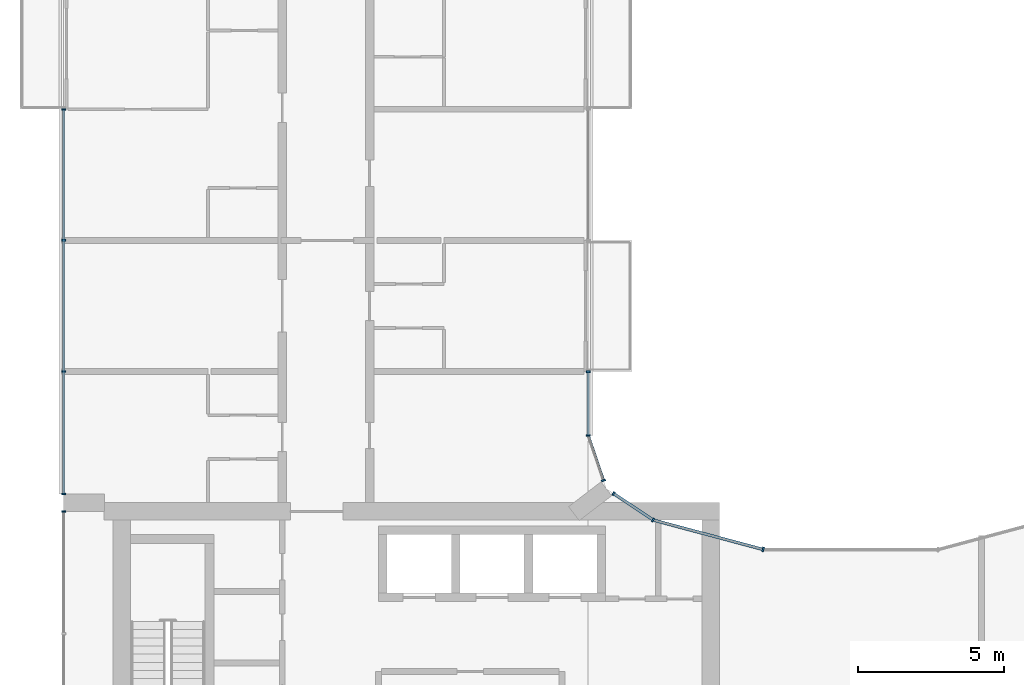
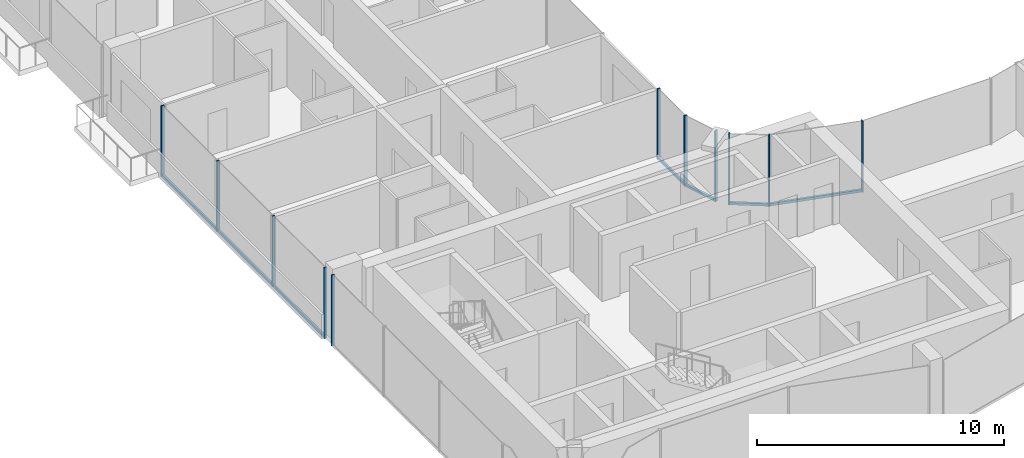
# One storey, part 4 of 15: 16 members, 6 elements without a shape of their own.
"""IFC4 building model written with IfcOpenShell, lengths in metres."""

from ifc_helpers import new_model, si_unit, direction, frame, origin, origin_2d, place, context, subcontext, project, spatial, rectangle, extrude, material, layer, layer_set, material_profile, profile_set, type_object, element, aggregate, save


model = new_model("IFC4")

# Units and contexts
model_context = context("Model", 3, precision=1e-05, world=origin(), true_north=direction((0.0, 1.0)))
body_context = subcontext(model_context, "Body", "Model", "MODEL_VIEW")
ifc_project = project(units=[si_unit("LENGTHUNIT", "METRE"), si_unit("AREAUNIT", "SQUARE_METRE"), si_unit("VOLUMEUNIT", "CUBIC_METRE"), si_unit("PLANEANGLEUNIT", "RADIAN"), si_unit("MASSUNIT", "GRAM", prefix="KILO")], contexts=[model_context])

# Site, building, storey
site_placement = place(None, origin())
site = spatial("IfcSite", under=ifc_project, at=site_placement, CompositionType="ELEMENT")
building_placement = place(site_placement, origin())
building = spatial("IfcBuilding", under=site, at=building_placement, Name="Plateau Cross Towers", CompositionType="ELEMENT")
storey_placement = place(building_placement, frame((0.0, 0.0, 156.89990234375)))
storey = spatial("IfcBuildingStorey", under=building, at=storey_placement, Name="L40", CompositionType="ELEMENT", Elevation=156.89990234375)

# Curtain wall, members
ifc_material_1 = material(Name="Dark low-iron glass", Category="glass")
ifc_layer_1 = layer(ifc_material_1, 0.239990234375)
ifc_layer_set_1 = layer_set([ifc_layer_1], Name="Dark low-iron glass")
curtain_wall_type_1 = type_object("IfcCurtainWallType", Name="Curtain wall flush unitised CW-B", PredefinedType="NOTDEFINED", material=ifc_layer_set_1)
curtain_wall_1_placement = place(storey_placement, origin())
curtain_wall_1 = element("IfcCurtainWall", 1, at=curtain_wall_1_placement, inside=storey, type_object=curtain_wall_type_1, Name="ENV/A/L40/A202_174", PredefinedType="NOTDEFINED")
ifc_material_2 = material(Name="Black anodised aluminium", Category="aluminium")
ifc_material_profile_1 = material_profile(ifc_material_2, rectangle(XDim=0.06005859375, YDim=0.139892578125, at=origin_2d()), Name="MULLION 60x140")
ifc_profile_set_1 = profile_set([ifc_material_profile_1], Name="Black anodised aluminium")
member_type_1 = type_object("IfcMemberType", Name="Mullion 60x140 flush unitised", PredefinedType="MULLION", material=ifc_profile_set_1)
member_1_placement = place(storey_placement, frame((20.223876953125, 17.404296875, -0.25), z_axis=(0.0, 0.0, 1.0), x_axis=(-0.831521253329, 0.555492938984, 0.0)))
member_1 = element("IfcMember", 2, at=member_1_placement, type_object=member_type_1, Name="CW-B mullion 1", PredefinedType="MULLION", context=body_context, shape_type="SweptSolid", body=[
    extrude(rectangle(XDim=0.06005859375, YDim=0.139892578125, at=origin_2d()), origin(), (0.0, 0.0, 1.0), 3.5),
])
member_2_placement = place(storey_placement, frame((18.86962890625, 18.30908203125, -0.25), z_axis=(0.0, 0.0, 1.0), x_axis=(-0.831521253329, 0.555492938984, 0.0)))
member_2 = element("IfcMember", 3, at=member_2_placement, type_object=member_type_1, Name="CW-B mullion 2", PredefinedType="MULLION", context=body_context, shape_type="SweptSolid", body=[
    extrude(rectangle(XDim=0.06005859375, YDim=0.139892578125, at=origin_2d()), origin(), (0.0, 0.0, 1.0), 3.5),
])

# Curtain wall, member
curtain_wall_2_placement = place(storey_placement, origin())
curtain_wall_2 = element("IfcCurtainWall", 4, at=curtain_wall_2_placement, inside=storey, type_object=curtain_wall_type_1, Name="ENV/A/L40/A185_188", PredefinedType="NOTDEFINED")
member_3_placement = place(storey_placement, frame((18.523681640625, 18.760009765625, -0.25), z_axis=(0.0, 0.0, 1.0), x_axis=(-0.321469161574, 0.94692004845, 0.0)))
member_3 = element("IfcMember", 5, at=member_3_placement, type_object=member_type_1, Name="CW-B mullion 1", PredefinedType="MULLION", context=body_context, shape_type="SweptSolid", body=[
    extrude(rectangle(XDim=0.06005859375, YDim=0.139892578125, at=origin_2d()), origin(), (0.0, 0.0, 1.0), 3.5),
])

# Curtain wall, members
curtain_wall_3_placement = place(storey_placement, origin())
curtain_wall_3 = element("IfcCurtainWall", 6, at=curtain_wall_3_placement, inside=storey, type_object=curtain_wall_type_1, Name="ENV/A/L40/A180_203", PredefinedType="NOTDEFINED")
member_4_placement = place(storey_placement, frame((18.0, 20.30224609375, -0.25), z_axis=(0.0, 0.0, 1.0), x_axis=(0.0, 1.0, 0.0)))
member_4 = element("IfcMember", 7, at=member_4_placement, type_object=member_type_1, Name="CW-B mullion 1", PredefinedType="MULLION", context=body_context, shape_type="SweptSolid", body=[
    extrude(rectangle(XDim=0.06005859375, YDim=0.139892578125, at=origin_2d()), origin(), (0.0, 0.0, 1.0), 3.5),
])
member_5_placement = place(storey_placement, frame((18.0, 22.489990234375, -0.25), z_axis=(0.0, 0.0, 1.0), x_axis=(0.0, 1.0, 0.0)))
member_5 = element("IfcMember", 8, at=member_5_placement, type_object=member_type_1, Name="CW-B mullion 2", PredefinedType="MULLION", context=body_context, shape_type="SweptSolid", body=[
    extrude(rectangle(XDim=0.06005859375, YDim=0.139892578125, at=origin_2d()), origin(), (0.0, 0.0, 1.0), 3.5),
])

curtain_wall_4_placement = place(storey_placement, origin())
curtain_wall_4 = element("IfcCurtainWall", 9, at=curtain_wall_4_placement, inside=storey, type_object=curtain_wall_type_1, Name="ENV/A/L40/A0_315", PredefinedType="NOTDEFINED")
member_6_placement = place(storey_placement, frame((0.0, 31.489990234375, -0.25), z_axis=(0.0, 0.0, 1.0), x_axis=(0.0, -1.0, 0.0)))
member_6 = element("IfcMember", 10, at=member_6_placement, type_object=member_type_1, Name="CW-B mullion 1", PredefinedType="MULLION", context=body_context, shape_type="SweptSolid", body=[
    extrude(rectangle(XDim=0.06005859375, YDim=0.139892578125, at=origin_2d()), origin(), (0.0, 0.0, 1.0), 3.5),
])
member_7_placement = place(storey_placement, frame((0.0, 27.0, -0.25), z_axis=(0.0, 0.0, 1.0), x_axis=(0.0, -1.0, 0.0)))
member_7 = element("IfcMember", 11, at=member_7_placement, type_object=member_type_1, Name="CW-B mullion 2", PredefinedType="MULLION", context=body_context, shape_type="SweptSolid", body=[
    extrude(rectangle(XDim=0.06005859375, YDim=0.139892578125, at=origin_2d()), origin(), (0.0, 0.0, 1.0), 3.5),
])
member_8_placement = place(storey_placement, frame((0.0, 22.5, -0.25), z_axis=(0.0, 0.0, 1.0), x_axis=(0.0, -1.0, 0.0)))
member_8 = element("IfcMember", 12, at=member_8_placement, type_object=member_type_1, Name="CW-B mullion 3", PredefinedType="MULLION", context=body_context, shape_type="SweptSolid", body=[
    extrude(rectangle(XDim=0.06005859375, YDim=0.139892578125, at=origin_2d()), origin(), (0.0, 0.0, 1.0), 3.5),
])
member_9_placement = place(storey_placement, frame((0.0, 18.300048828125, -0.25), z_axis=(0.0, 0.0, 1.0), x_axis=(0.0, -1.0, 0.0)))
member_9 = element("IfcMember", 13, at=member_9_placement, type_object=member_type_1, Name="CW-B mullion 4", PredefinedType="MULLION", context=body_context, shape_type="SweptSolid", body=[
    extrude(rectangle(XDim=0.06005859375, YDim=0.139892578125, at=origin_2d()), origin(), (0.0, 0.0, 1.0), 3.5),
])

# Curtain wall, member
curtain_wall_5_placement = place(storey_placement, origin())
curtain_wall_5 = element("IfcCurtainWall", 14, at=curtain_wall_5_placement, inside=storey, type_object=curtain_wall_type_1, Name="ENV/A/L40/A0_177", PredefinedType="NOTDEFINED")
member_10_placement = place(storey_placement, frame((0.0, 17.699951171875, -0.25), z_axis=(0.0, 0.0, 1.0), x_axis=(0.0, -1.0, 0.0)))
member_10 = element("IfcMember", 15, at=member_10_placement, type_object=member_type_1, Name="CW-B mullion 1", PredefinedType="MULLION", context=body_context, shape_type="SweptSolid", body=[
    extrude(rectangle(XDim=0.06005859375, YDim=0.139892578125, at=origin_2d()), origin(), (0.0, 0.0, 1.0), 3.5),
])
aggregate(curtain_wall_5, [member_10])

ifc_layer_2 = layer(ifc_material_1, 0.260009765625)
ifc_layer_set_2 = layer_set([ifc_layer_2], Name="Dark low-iron glass")
curtain_wall_type_2 = type_object("IfcCurtainWallType", Name="Curtain wall fluted unitised CW-A", PredefinedType="NOTDEFINED", material=ifc_layer_set_2)
curtain_wall_6_placement = place(storey_placement, origin())
curtain_wall_6 = element("IfcCurtainWall", 16, at=curtain_wall_6_placement, inside=storey, type_object=curtain_wall_type_2, Name="ENV/A/L40/A240_164", PredefinedType="NOTDEFINED")
ifc_material_profile_2 = material_profile(ifc_material_2, rectangle(XDim=0.06005859375, YDim=0.159912109375, at=origin_2d()), Name="MULLION 60x160")
ifc_profile_set_2 = profile_set([ifc_material_profile_2], Name="Black anodised aluminium")
member_type_2 = type_object("IfcMemberType", Name="Mullion 60x160 fluted unitised", PredefinedType="MULLION", material=ifc_profile_set_2)
member_11_placement = place(storey_placement, frame((24.0, 16.39306640625, -0.25), z_axis=(0.0, 0.0, 1.0), x_axis=(-0.965957995816, 0.258698956933, 0.0)))
member_11 = element("IfcMember", 17, at=member_11_placement, type_object=member_type_2, Name="CW-A mullion 1", PredefinedType="MULLION", context=body_context, shape_type="SweptSolid", body=[
    extrude(rectangle(XDim=0.06005859375, YDim=0.159912109375, at=origin_2d()), origin(), (0.0, 0.0, 1.0), 3.5),
])

# Member
ifc_material_profile_3 = material_profile(ifc_material_2, rectangle(XDim=0.10009765625, YDim=0.1201171875, at=origin_2d()), Name="TRANSOM 100x120")
ifc_profile_set_3 = profile_set([ifc_material_profile_3], Name="Black anodised aluminium")
member_type_3 = type_object("IfcMemberType", Name="Transom 100x120 flush unitised", PredefinedType="USERDEFINED", material=ifc_profile_set_3)
member_12_placement = place(storey_placement, frame((20.223876953125, 17.404296875, -0.18994140625), z_axis=(-0.831496402487, 0.555530136582, 0.0), x_axis=(-0.555530136582, -0.831496402487, 0.0)))
member_12 = element("IfcMember", 18, at=member_12_placement, type_object=member_type_3, Name="CW-B transom", ObjectType="TRANSOM", PredefinedType="USERDEFINED", context=body_context, shape_type="SweptSolid", body=[
    extrude(rectangle(XDim=0.10009765625, YDim=0.1201171875, at=origin_2d()), origin(), (0.0, 0.0, 1.0), 1.628662109375),
])

aggregate(curtain_wall_1, [member_1, member_2, member_12])

member_13_placement = place(storey_placement, frame((18.523681640625, 18.760009765625, -0.18994140625), z_axis=(-0.321529174838, 0.946899672472, 0.0), x_axis=(-0.946899672472, -0.321529174838, 0.0)))
member_13 = element("IfcMember", 19, at=member_13_placement, type_object=member_type_3, Name="CW-B transom", ObjectType="TRANSOM", PredefinedType="USERDEFINED", context=body_context, shape_type="SweptSolid", body=[
    extrude(rectangle(XDim=0.10009765625, YDim=0.1201171875, at=origin_2d()), origin(), (0.0, 0.0, 1.0), 1.628662109375),
])

aggregate(curtain_wall_2, [member_3, member_13])

member_14_placement = place(storey_placement, frame((18.0, 20.30224609375, -0.18994140625), z_axis=(0.0, 1.0, 0.0), x_axis=(-1.0, 0.0, 0.0)))
member_14 = element("IfcMember", 20, at=member_14_placement, type_object=member_type_3, Name="CW-B transom", ObjectType="TRANSOM", PredefinedType="USERDEFINED", context=body_context, shape_type="SweptSolid", body=[
    extrude(rectangle(XDim=0.10009765625, YDim=0.1201171875, at=origin_2d()), origin(), (0.0, 0.0, 1.0), 2.187744140625),
])

aggregate(curtain_wall_3, [member_4, member_5, member_14])

member_15_placement = place(storey_placement, frame((0.0, 31.489990234375, -0.18994140625), z_axis=(0.0, -1.0, 0.0), x_axis=(1.0, 0.0, 0.0)))
member_15 = element("IfcMember", 21, at=member_15_placement, type_object=member_type_3, Name="CW-B transom", ObjectType="TRANSOM", PredefinedType="USERDEFINED", context=body_context, shape_type="SweptSolid", body=[
    extrude(rectangle(XDim=0.10009765625, YDim=0.1201171875, at=origin_2d()), origin(), (0.0, 0.0, 1.0), 13.18994140625),
])

aggregate(curtain_wall_4, [member_6, member_7, member_8, member_9, member_15])

ifc_material_profile_4 = material_profile(ifc_material_2, rectangle(XDim=0.10009765625, YDim=0.1201171875, at=origin_2d()), Name="TRANSOM 100x120")
ifc_profile_set_4 = profile_set([ifc_material_profile_4], Name="Black anodised aluminium")
member_type_4 = type_object("IfcMemberType", Name="Transom 100x120 fluted unitised", PredefinedType="USERDEFINED", material=ifc_profile_set_4)
member_16_placement = place(storey_placement, frame((24.0, 16.39306640625, -0.18994140625), z_axis=(-0.965962822393, 0.25868093427, 0.0), x_axis=(-0.25868093427, -0.965962822393, 0.0)))
member_16 = element("IfcMember", 22, at=member_16_placement, type_object=member_type_4, Name="CW-A transom", ObjectType="TRANSOM", PredefinedType="USERDEFINED", context=body_context, shape_type="SweptSolid", body=[
    extrude(rectangle(XDim=0.10009765625, YDim=0.1201171875, at=origin_2d()), origin(), (0.0, 0.0, 1.0), 3.9091796875),
])

aggregate(curtain_wall_6, [member_11, member_16])

save(model, "model.ifc")
